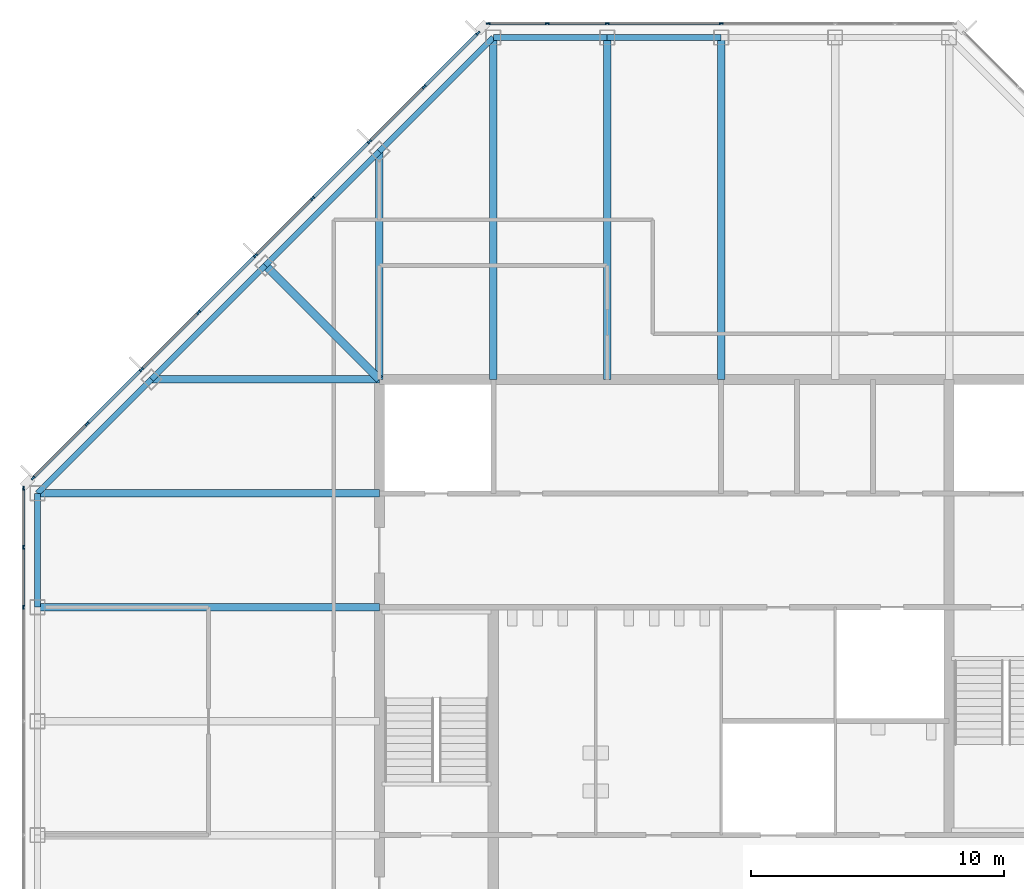
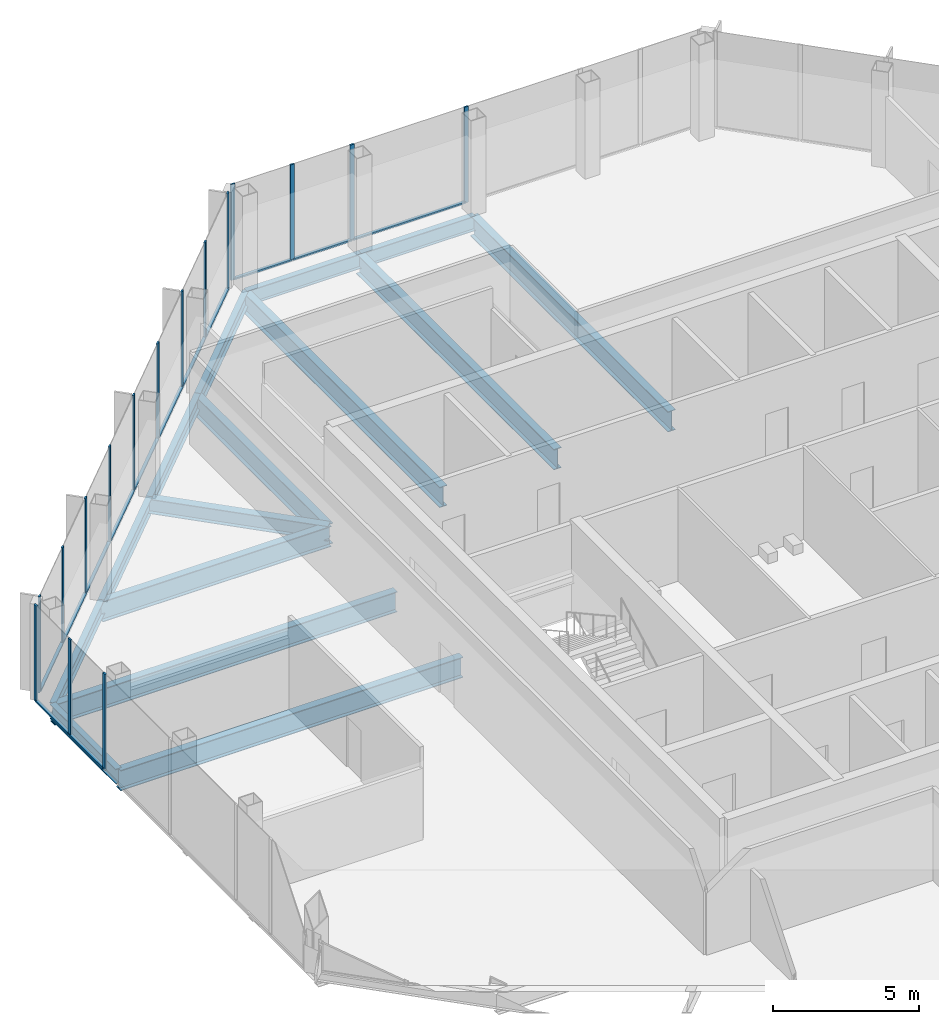
# One storey, part 6 of 13: 29 members, 15 beams, 3 elements without a shape of their own.
"""IFC4 building model written with IfcOpenShell, lengths in metres."""

from ifc_helpers import new_model, si_unit, direction, frame, origin, origin_2d, place, context, subcontext, project, spatial, rectangle, i_section, extrude, material, material_profile, profile_set, type_object, element, aggregate, save


model = new_model("IFC4")

# Units and contexts
model_context = context("Model", 3, precision=1e-05, world=origin(), true_north=direction((0.0, 1.0)))
body_context = subcontext(model_context, "Body", "Model", "MODEL_VIEW")
ifc_project = project(units=[si_unit("LENGTHUNIT", "METRE"), si_unit("AREAUNIT", "SQUARE_METRE"), si_unit("VOLUMEUNIT", "CUBIC_METRE"), si_unit("PLANEANGLEUNIT", "RADIAN"), si_unit("MASSUNIT", "GRAM", prefix="KILO")], contexts=[model_context])

# Site, building, storey
site_placement = place(None, origin())
site = spatial("IfcSite", under=ifc_project, at=site_placement, CompositionType="ELEMENT")
building_placement = place(site_placement, origin())
building = spatial("IfcBuilding", under=site, at=building_placement, Name="Corais Broadcast Tower", CompositionType="ELEMENT")
storey_placement = place(building_placement, frame((0.0, 0.0, 270.60009765625)))
storey = spatial("IfcBuildingStorey", under=building, at=storey_placement, Name="L63", CompositionType="ELEMENT", Elevation=270.60009765625)

# Beams
ifc_material_1 = material(Name="Steel ASTM A572 Grade 50", Category="steel")
ifc_material_profile_1 = material_profile(ifc_material_1, i_section(OverallWidth=0.323974609375, OverallDepth=0.611083984375, WebThickness=0.0126953125, FlangeThickness=0.01904296875, at=origin_2d()), Name="W610x155")
ifc_profile_set_1 = profile_set([ifc_material_profile_1], Name="Steel ASTM A572 Grade 50")
beam_type_1 = type_object("IfcBeamType", Name="Corner diagonal W610x155", PredefinedType="BEAM", material=ifc_profile_set_1)
beam_1_placement = place(storey_placement, frame((9.0, 45.0, -0.465576171875), z_axis=(0.707106781187, -0.707106781187, 0.0), x_axis=(0.707106781187, 0.707106781187, 0.0)))
element("IfcBeam", 1, at=beam_1_placement, inside=storey, type_object=beam_type_1, Name="B6 L/5 to K/6", PredefinedType="BEAM", context=body_context, shape_type="SweptSolid", body=[
    extrude(i_section(OverallWidth=0.323974609375, OverallDepth=0.611083984375, WebThickness=0.0126953125, FlangeThickness=0.01904296875, at=origin_2d()), origin(), (0.0, 0.0, 1.0), 6.364013671875),
])
ifc_material_2 = material(Name="Steel ASTM A572 Grade 50", Category="steel")
ifc_material_profile_2 = material_profile(ifc_material_2, i_section(OverallWidth=0.2939453125, OverallDepth=0.85107421875, WebThickness=0.01611328125, FlangeThickness=0.02685546875, at=origin_2d()), Name="W840x226")
ifc_profile_set_2 = profile_set([ifc_material_profile_2], Name="Steel ASTM A572 Grade 50")
beam_type_2 = type_object("IfcBeamType", Name="Floor beam W840x226", PredefinedType="BEAM", material=ifc_profile_set_2)
for number, where, z_axis, x_axis, name in (
    (2, (0.0, 31.5, -0.585693359375), (1.0, 0.0, 0.0), (0.0, 1.0, 0.0), "B1 H/3 to H/6"),
    (3, (0.0, 36.0, -0.585693359375), (1.0, 0.0, 0.0), (0.0, 1.0, 0.0), "B1 J/3 to J/6"),
):
    element("IfcBeam", number, at=place(storey_placement, frame(where, z_axis=z_axis, x_axis=x_axis)), inside=storey, type_object=beam_type_2, Name=name, PredefinedType="BEAM", context=body_context, shape_type="SweptSolid", body=[
        extrude(i_section(OverallWidth=0.2939453125, OverallDepth=0.85107421875, WebThickness=0.01611328125, FlangeThickness=0.02685546875, at=origin_2d()), origin(), (0.0, 0.0, 1.0), 13.5),
    ])
beam_2_placement = place(storey_placement, frame((13.5, 49.5, -0.585693359375), z_axis=(0.0, -1.0, 0.0), x_axis=(1.0, 0.0, 0.0)))
element("IfcBeam", 4, at=beam_2_placement, inside=storey, type_object=beam_type_2, Name="B1 M/6 to K/6", PredefinedType="BEAM", context=body_context, shape_type="SweptSolid", body=[
    extrude(i_section(OverallWidth=0.2939453125, OverallDepth=0.85107421875, WebThickness=0.01611328125, FlangeThickness=0.02685546875, at=origin_2d()), origin(), (0.0, 0.0, 1.0), 9.0),
])
for number, where, z_axis, x_axis, name in (
    (5, (18.0, 54.0, -0.585693359375), (0.0, -1.0, 0.0), (1.0, 0.0, 0.0), "B1 N/7 to K/7"),
    (6, (22.5, 54.0, -0.585693359375), (0.0, -1.0, 0.0), (1.0, 0.0, 0.0), "B1 N/8 to K/8"),
    (7, (27.0, 54.0, -0.585693359375), (0.0, -1.0, 0.0), (1.0, 0.0, 0.0), "B1 N/9 to K/9"),
):
    element("IfcBeam", number, at=place(storey_placement, frame(where, z_axis=z_axis, x_axis=x_axis)), inside=storey, type_object=beam_type_2, Name=name, PredefinedType="BEAM", context=body_context, shape_type="SweptSolid", body=[
        extrude(i_section(OverallWidth=0.2939453125, OverallDepth=0.85107421875, WebThickness=0.01611328125, FlangeThickness=0.02685546875, at=origin_2d()), origin(), (0.0, 0.0, 1.0), 13.5),
    ])
beam_3_placement = place(storey_placement, frame((4.5, 40.5, -0.585693359375), z_axis=(1.0, 0.0, 0.0), x_axis=(0.0, 1.0, 0.0)))
element("IfcBeam", 8, at=beam_3_placement, inside=storey, type_object=beam_type_2, Name="B1 K/4 to K/6", PredefinedType="BEAM", context=body_context, shape_type="SweptSolid", body=[
    extrude(i_section(OverallWidth=0.2939453125, OverallDepth=0.85107421875, WebThickness=0.01611328125, FlangeThickness=0.02685546875, at=origin_2d()), origin(), (0.0, 0.0, 1.0), 9.0),
])

# Curtain wall, members
ifc_material_3 = material(Name="Aluminium and glass", Category="aluminium")
curtain_wall_type = type_object("IfcCurtainWallType", Name="Unitised fritted curtain wall CW3", PredefinedType="NOTDEFINED", material=ifc_material_3)
curtain_wall_1_placement = place(storey_placement, origin())
curtain_wall_1 = element("IfcCurtainWall", 9, at=curtain_wall_1_placement, inside=storey, type_object=curtain_wall_type, Name="CW3 curtain wall L63 2", PredefinedType="NOTDEFINED")
ifc_material_4 = material(Name="Aluminium 6063-T6", Category="aluminium")
ifc_material_profile_3 = material_profile(ifc_material_4, rectangle(XDim=0.06494140625, YDim=0.159912109375, at=origin_2d()), Name="Mullion CW3 65x160")
ifc_profile_set_3 = profile_set([ifc_material_profile_3], Name="Aluminium 6063-T6")
member_type_1 = type_object("IfcMemberType", Name="Mullion CW3 65x160", PredefinedType="MULLION", material=ifc_profile_set_3)
member_1_placement = place(storey_placement, frame((-0.550048828125, 31.5, 0.0), z_axis=(0.0, 0.0, 1.0), x_axis=(-1.0, 0.0, 0.0)))
member_1 = element("IfcMember", 10, at=member_1_placement, type_object=member_type_1, Name="CW3 mullion 5", PredefinedType="MULLION", context=body_context, shape_type="SweptSolid", body=[
    extrude(rectangle(XDim=0.06494140625, YDim=0.159912109375, at=origin_2d()), origin(), (0.0, 0.0, 1.0), 4.0),
])
member_2_placement = place(storey_placement, frame((-0.550048828125, 33.864013671875, 0.0), z_axis=(0.0, 0.0, 1.0), x_axis=(-1.0, 0.0, 0.0)))
member_2 = element("IfcMember", 11, at=member_2_placement, type_object=member_type_1, Name="CW3 mullion 6", PredefinedType="MULLION", context=body_context, shape_type="SweptSolid", body=[
    extrude(rectangle(XDim=0.06494140625, YDim=0.159912109375, at=origin_2d()), origin(), (0.0, 0.0, 1.0), 4.0),
])
member_3_placement = place(storey_placement, frame((-0.550048828125, 36.1953125, 0.0), z_axis=(0.0, 0.0, 1.0), x_axis=(-1.0, 0.0, 0.0)))
member_3 = element("IfcMember", 12, at=member_3_placement, type_object=member_type_1, Name="CW3 mullion 7", PredefinedType="MULLION", context=body_context, shape_type="SweptSolid", body=[
    extrude(rectangle(XDim=0.06494140625, YDim=0.159912109375, at=origin_2d()), origin(), (0.0, 0.0, 1.0), 4.0),
])

curtain_wall_2_placement = place(storey_placement, origin())
curtain_wall_2 = element("IfcCurtainWall", 13, at=curtain_wall_2_placement, inside=storey, type_object=curtain_wall_type, Name="CW3 curtain wall L63 3", PredefinedType="NOTDEFINED")
member_4_placement = place(storey_placement, frame((-0.17333984375, 36.6044921875, 0.0), z_axis=(0.0, 0.0, 1.0), x_axis=(-0.707106781187, 0.707106781187, 0.0)))
member_4 = element("IfcMember", 14, at=member_4_placement, type_object=member_type_1, Name="CW3 mullion 1", PredefinedType="MULLION", context=body_context, shape_type="SweptSolid", body=[
    extrude(rectangle(XDim=0.06494140625, YDim=0.159912109375, at=origin_2d()), origin(), (0.0, 0.0, 1.0), 4.0),
])
member_5_placement = place(storey_placement, frame((1.957275390625, 38.735107421875, 0.0), z_axis=(0.0, 0.0, 1.0), x_axis=(-0.707106781187, 0.707106781187, 0.0)))
member_5 = element("IfcMember", 15, at=member_5_placement, type_object=member_type_1, Name="CW3 mullion 2", PredefinedType="MULLION", context=body_context, shape_type="SweptSolid", body=[
    extrude(rectangle(XDim=0.06494140625, YDim=0.159912109375, at=origin_2d()), origin(), (0.0, 0.0, 1.0), 4.0),
])
member_6_placement = place(storey_placement, frame((4.111083984375, 40.888916015625, 0.0), z_axis=(0.0, 0.0, 1.0), x_axis=(-0.707106781187, 0.707106781187, 0.0)))
member_6 = element("IfcMember", 16, at=member_6_placement, type_object=member_type_1, Name="CW3 mullion 3", PredefinedType="MULLION", context=body_context, shape_type="SweptSolid", body=[
    extrude(rectangle(XDim=0.06494140625, YDim=0.159912109375, at=origin_2d()), origin(), (0.0, 0.0, 1.0), 4.0),
])
member_7_placement = place(storey_placement, frame((6.361083984375, 43.138916015625, 0.0), z_axis=(0.0, 0.0, 1.0), x_axis=(-0.707106781187, 0.707106781187, 0.0)))
member_7 = element("IfcMember", 17, at=member_7_placement, type_object=member_type_1, Name="CW3 mullion 4", PredefinedType="MULLION", context=body_context, shape_type="SweptSolid", body=[
    extrude(rectangle(XDim=0.06494140625, YDim=0.159912109375, at=origin_2d()), origin(), (0.0, 0.0, 1.0), 4.0),
])
member_8_placement = place(storey_placement, frame((8.611083984375, 45.388916015625, 0.0), z_axis=(0.0, 0.0, 1.0), x_axis=(-0.707106781187, 0.707106781187, 0.0)))
member_8 = element("IfcMember", 18, at=member_8_placement, type_object=member_type_1, Name="CW3 mullion 5", PredefinedType="MULLION", context=body_context, shape_type="SweptSolid", body=[
    extrude(rectangle(XDim=0.06494140625, YDim=0.159912109375, at=origin_2d()), origin(), (0.0, 0.0, 1.0), 4.0),
])
member_9_placement = place(storey_placement, frame((10.861083984375, 47.638916015625, 0.0), z_axis=(0.0, 0.0, 1.0), x_axis=(-0.707106781187, 0.707106781187, 0.0)))
member_9 = element("IfcMember", 19, at=member_9_placement, type_object=member_type_1, Name="CW3 mullion 6", PredefinedType="MULLION", context=body_context, shape_type="SweptSolid", body=[
    extrude(rectangle(XDim=0.06494140625, YDim=0.159912109375, at=origin_2d()), origin(), (0.0, 0.0, 1.0), 4.0),
])
member_10_placement = place(storey_placement, frame((13.111083984375, 49.888916015625, 0.0), z_axis=(0.0, 0.0, 1.0), x_axis=(-0.707106781187, 0.707106781187, 0.0)))
member_10 = element("IfcMember", 20, at=member_10_placement, type_object=member_type_1, Name="CW3 mullion 7", PredefinedType="MULLION", context=body_context, shape_type="SweptSolid", body=[
    extrude(rectangle(XDim=0.06494140625, YDim=0.159912109375, at=origin_2d()), origin(), (0.0, 0.0, 1.0), 4.0),
])
member_11_placement = place(storey_placement, frame((15.264892578125, 52.042724609375, 0.0), z_axis=(0.0, 0.0, 1.0), x_axis=(-0.707106781187, 0.707106781187, 0.0)))
member_11 = element("IfcMember", 21, at=member_11_placement, type_object=member_type_1, Name="CW3 mullion 8", PredefinedType="MULLION", context=body_context, shape_type="SweptSolid", body=[
    extrude(rectangle(XDim=0.06494140625, YDim=0.159912109375, at=origin_2d()), origin(), (0.0, 0.0, 1.0), 4.0),
])
member_12_placement = place(storey_placement, frame((17.3955078125, 54.17333984375, 0.0), z_axis=(0.0, 0.0, 1.0), x_axis=(-0.707106781187, 0.707106781187, 0.0)))
member_12 = element("IfcMember", 22, at=member_12_placement, type_object=member_type_1, Name="CW3 mullion 9", PredefinedType="MULLION", context=body_context, shape_type="SweptSolid", body=[
    extrude(rectangle(XDim=0.06494140625, YDim=0.159912109375, at=origin_2d()), origin(), (0.0, 0.0, 1.0), 4.0),
])

curtain_wall_3_placement = place(storey_placement, origin())
curtain_wall_3 = element("IfcCurtainWall", 23, at=curtain_wall_3_placement, inside=storey, type_object=curtain_wall_type, Name="CW3 curtain wall L63 4", PredefinedType="NOTDEFINED")
member_13_placement = place(storey_placement, frame((17.8046875, 54.550048828125, 0.0), z_axis=(0.0, 0.0, 1.0), x_axis=(0.0, 1.0, 0.0)))
member_13 = element("IfcMember", 24, at=member_13_placement, type_object=member_type_1, Name="CW3 mullion 1", PredefinedType="MULLION", context=body_context, shape_type="SweptSolid", body=[
    extrude(rectangle(XDim=0.06494140625, YDim=0.159912109375, at=origin_2d()), origin(), (0.0, 0.0, 1.0), 4.0),
])
member_14_placement = place(storey_placement, frame((20.135986328125, 54.550048828125, 0.0), z_axis=(0.0, 0.0, 1.0), x_axis=(0.0, 1.0, 0.0)))
member_14 = element("IfcMember", 25, at=member_14_placement, type_object=member_type_1, Name="CW3 mullion 2", PredefinedType="MULLION", context=body_context, shape_type="SweptSolid", body=[
    extrude(rectangle(XDim=0.06494140625, YDim=0.159912109375, at=origin_2d()), origin(), (0.0, 0.0, 1.0), 4.0),
])
member_15_placement = place(storey_placement, frame((22.5, 54.550048828125, 0.0), z_axis=(0.0, 0.0, 1.0), x_axis=(0.0, 1.0, 0.0)))
member_15 = element("IfcMember", 26, at=member_15_placement, type_object=member_type_1, Name="CW3 mullion 3", PredefinedType="MULLION", context=body_context, shape_type="SweptSolid", body=[
    extrude(rectangle(XDim=0.06494140625, YDim=0.159912109375, at=origin_2d()), origin(), (0.0, 0.0, 1.0), 4.0),
])
member_16_placement = place(storey_placement, frame((27.0, 54.550048828125, 0.0), z_axis=(0.0, 0.0, 1.0), x_axis=(0.0, 1.0, 0.0)))
member_16 = element("IfcMember", 27, at=member_16_placement, type_object=member_type_1, Name="CW3 mullion 4", PredefinedType="MULLION", context=body_context, shape_type="SweptSolid", body=[
    extrude(rectangle(XDim=0.06494140625, YDim=0.159912109375, at=origin_2d()), origin(), (0.0, 0.0, 1.0), 4.0),
])

# Beams
ifc_material_5 = material(Name="Steel ASTM A572 Grade 50", Category="steel")
ifc_material_profile_4 = material_profile(ifc_material_5, i_section(OverallWidth=0.22998046875, OverallDepth=0.616943359375, WebThickness=0.01318359375, FlangeThickness=0.022216796875, at=origin_2d()), Name="W610x140")
ifc_profile_set_4 = profile_set([ifc_material_profile_4], Name="Steel ASTM A572 Grade 50")
beam_type_3 = type_object("IfcBeamType", Name="Spandrel W610x140", PredefinedType="BEAM", material=ifc_profile_set_4)
beam_4_placement = place(storey_placement, frame((0.0, 36.0, -0.468505859375), z_axis=(0.0, -1.0, 0.0), x_axis=(1.0, 0.0, 0.0)))
element("IfcBeam", 28, at=beam_4_placement, inside=storey, type_object=beam_type_3, Name="SB3 J/3 to H/3", PredefinedType="BEAM", context=body_context, shape_type="SweptSolid", body=[
    extrude(i_section(OverallWidth=0.22998046875, OverallDepth=0.616943359375, WebThickness=0.01318359375, FlangeThickness=0.022216796875, at=origin_2d()), origin(), (0.0, 0.0, 1.0), 4.5),
])
for number, where, z_axis, x_axis, name in (
    (29, (13.5, 49.5, -0.468505859375), (-0.707106781187, -0.707106781187, 0.0), (0.707106781187, -0.707106781187, 0.0), "SB3 M/6 to L/5"),
    (30, (18.0, 54.0, -0.468505859375), (-0.707106781187, -0.707106781187, 0.0), (0.707106781187, -0.707106781187, 0.0), "SB3 N/7 to M/6"),
):
    element("IfcBeam", number, at=place(storey_placement, frame(where, z_axis=z_axis, x_axis=x_axis)), inside=storey, type_object=beam_type_3, Name=name, PredefinedType="BEAM", context=body_context, shape_type="SweptSolid", body=[
        extrude(i_section(OverallWidth=0.22998046875, OverallDepth=0.616943359375, WebThickness=0.01318359375, FlangeThickness=0.022216796875, at=origin_2d()), origin(), (0.0, 0.0, 1.0), 6.364013671875),
    ])
for number, where, z_axis, x_axis, name in (
    (31, (22.5, 54.0, -0.468505859375), (-1.0, 0.0, 0.0), (0.0, -1.0, 0.0), "SB3 N/8 to N/7"),
    (32, (27.0, 54.0, -0.468505859375), (-1.0, 0.0, 0.0), (0.0, -1.0, 0.0), "SB3 N/9 to N/8"),
):
    element("IfcBeam", number, at=place(storey_placement, frame(where, z_axis=z_axis, x_axis=x_axis)), inside=storey, type_object=beam_type_3, Name=name, PredefinedType="BEAM", context=body_context, shape_type="SweptSolid", body=[
        extrude(i_section(OverallWidth=0.22998046875, OverallDepth=0.616943359375, WebThickness=0.01318359375, FlangeThickness=0.022216796875, at=origin_2d()), origin(), (0.0, 0.0, 1.0), 4.5),
    ])
for number, where, z_axis, x_axis, name in (
    (33, (4.5, 40.5, -0.468505859375), (-0.707106781187, -0.707106781187, 0.0), (0.707106781187, -0.707106781187, 0.0), "SB3 K/4 to J/3"),
    (34, (9.0, 45.0, -0.468505859375), (-0.707106781187, -0.707106781187, 0.0), (0.707106781187, -0.707106781187, 0.0), "SB3 L/5 to K/4"),
):
    element("IfcBeam", number, at=place(storey_placement, frame(where, z_axis=z_axis, x_axis=x_axis)), inside=storey, type_object=beam_type_3, Name=name, PredefinedType="BEAM", context=body_context, shape_type="SweptSolid", body=[
        extrude(i_section(OverallWidth=0.22998046875, OverallDepth=0.616943359375, WebThickness=0.01318359375, FlangeThickness=0.022216796875, at=origin_2d()), origin(), (0.0, 0.0, 1.0), 6.364013671875),
    ])

# Member
ifc_material_6 = material(Name="Aluminium 6063-T6", Category="aluminium")
ifc_material_profile_5 = material_profile(ifc_material_6, rectangle(XDim=0.1201171875, YDim=0.06494140625, at=origin_2d()), Name="Transom CW3 65x120")
ifc_profile_set_5 = profile_set([ifc_material_profile_5], Name="Aluminium 6063-T6")
member_type_2 = type_object("IfcMemberType", Name="Transom CW3 65x120", PredefinedType="USERDEFINED", material=ifc_profile_set_5)
member_17_placement = place(storey_placement, frame((-0.550048828125, 31.532470703125, 0.032470703125), z_axis=(0.0, 1.0, 0.0), x_axis=(-1.0, 0.0, 0.0)))
member_17 = element("IfcMember", 35, at=member_17_placement, type_object=member_type_2, Name="CW3 transom 5.1", ObjectType="TRANSOM", PredefinedType="USERDEFINED", context=body_context, shape_type="SweptSolid", body=[
    extrude(rectangle(XDim=0.1201171875, YDim=0.06494140625, at=origin_2d()), origin(), (0.0, 0.0, 1.0), 2.298828125),
])

member_18_placement = place(storey_placement, frame((-0.550048828125, 33.896484375, 0.032470703125), z_axis=(0.0, 1.0, 0.0), x_axis=(-1.0, 0.0, 0.0)))
member_18 = element("IfcMember", 36, at=member_18_placement, type_object=member_type_2, Name="CW3 transom 6.1", ObjectType="TRANSOM", PredefinedType="USERDEFINED", context=body_context, shape_type="SweptSolid", body=[
    extrude(rectangle(XDim=0.1201171875, YDim=0.06494140625, at=origin_2d()), origin(), (0.0, 0.0, 1.0), 2.266357421875),
])

aggregate(curtain_wall_1, [member_1, member_2, member_3, member_17, member_18])

member_19_placement = place(storey_placement, frame((-0.150390625, 36.62744140625, 0.032470703125), z_axis=(0.707106781187, 0.707106781187, 0.0), x_axis=(-0.707106781187, 0.707106781187, 0.0)))
member_19 = element("IfcMember", 37, at=member_19_placement, type_object=member_type_2, Name="CW3 transom 1.1", ObjectType="TRANSOM", PredefinedType="USERDEFINED", context=body_context, shape_type="SweptSolid", body=[
    extrude(rectangle(XDim=0.1201171875, YDim=0.06494140625, at=origin_2d()), origin(), (0.0, 0.0, 1.0), 2.9482421875),
])

member_20_placement = place(storey_placement, frame((1.980224609375, 38.758056640625, 0.032470703125), z_axis=(0.707106781187, 0.707106781187, 0.0), x_axis=(-0.707106781187, 0.707106781187, 0.0)))
member_20 = element("IfcMember", 38, at=member_20_placement, type_object=member_type_2, Name="CW3 transom 2.1", ObjectType="TRANSOM", PredefinedType="USERDEFINED", context=body_context, shape_type="SweptSolid", body=[
    extrude(rectangle(XDim=0.1201171875, YDim=0.06494140625, at=origin_2d()), origin(), (0.0, 0.0, 1.0), 2.98095703125),
])

member_21_placement = place(storey_placement, frame((4.134033203125, 40.911865234375, 0.032470703125), z_axis=(0.707106781187, 0.707106781187, 0.0), x_axis=(-0.707106781187, 0.707106781187, 0.0)))
member_21 = element("IfcMember", 39, at=member_21_placement, type_object=member_type_2, Name="CW3 transom 3.1", ObjectType="TRANSOM", PredefinedType="USERDEFINED", context=body_context, shape_type="SweptSolid", body=[
    extrude(rectangle(XDim=0.1201171875, YDim=0.06494140625, at=origin_2d()), origin(), (0.0, 0.0, 1.0), 3.1171875),
])

member_22_placement = place(storey_placement, frame((6.384033203125, 43.161865234375, 0.032470703125), z_axis=(0.707106781187, 0.707106781187, 0.0), x_axis=(-0.707106781187, 0.707106781187, 0.0)))
member_22 = element("IfcMember", 40, at=member_22_placement, type_object=member_type_2, Name="CW3 transom 4.1", ObjectType="TRANSOM", PredefinedType="USERDEFINED", context=body_context, shape_type="SweptSolid", body=[
    extrude(rectangle(XDim=0.1201171875, YDim=0.06494140625, at=origin_2d()), origin(), (0.0, 0.0, 1.0), 3.1171875),
])

member_23_placement = place(storey_placement, frame((8.634033203125, 45.411865234375, 0.032470703125), z_axis=(0.707106781187, 0.707106781187, 0.0), x_axis=(-0.707106781187, 0.707106781187, 0.0)))
member_23 = element("IfcMember", 41, at=member_23_placement, type_object=member_type_2, Name="CW3 transom 5.1", ObjectType="TRANSOM", PredefinedType="USERDEFINED", context=body_context, shape_type="SweptSolid", body=[
    extrude(rectangle(XDim=0.1201171875, YDim=0.06494140625, at=origin_2d()), origin(), (0.0, 0.0, 1.0), 3.1171875),
])

member_24_placement = place(storey_placement, frame((10.884033203125, 47.661865234375, 0.032470703125), z_axis=(0.707106781187, 0.707106781187, 0.0), x_axis=(-0.707106781187, 0.707106781187, 0.0)))
member_24 = element("IfcMember", 42, at=member_24_placement, type_object=member_type_2, Name="CW3 transom 6.1", ObjectType="TRANSOM", PredefinedType="USERDEFINED", context=body_context, shape_type="SweptSolid", body=[
    extrude(rectangle(XDim=0.1201171875, YDim=0.06494140625, at=origin_2d()), origin(), (0.0, 0.0, 1.0), 3.1171875),
])

member_25_placement = place(storey_placement, frame((13.134033203125, 49.911865234375, 0.032470703125), z_axis=(0.70714773134, 0.707065828661, 0.0), x_axis=(-0.707065828661, 0.70714773134, 0.0)))
member_25 = element("IfcMember", 43, at=member_25_placement, type_object=member_type_2, Name="CW3 transom 7.1", ObjectType="TRANSOM", PredefinedType="USERDEFINED", context=body_context, shape_type="SweptSolid", body=[
    extrude(rectangle(XDim=0.1201171875, YDim=0.06494140625, at=origin_2d()), origin(), (0.0, 0.0, 1.0), 2.98095703125),
])

member_26_placement = place(storey_placement, frame((15.287841796875, 52.065673828125, 0.032470703125), z_axis=(0.707106781187, 0.707106781187, 0.0), x_axis=(-0.707106781187, 0.707106781187, 0.0)))
member_26 = element("IfcMember", 44, at=member_26_placement, type_object=member_type_2, Name="CW3 transom 8.1", ObjectType="TRANSOM", PredefinedType="USERDEFINED", context=body_context, shape_type="SweptSolid", body=[
    extrude(rectangle(XDim=0.1201171875, YDim=0.06494140625, at=origin_2d()), origin(), (0.0, 0.0, 1.0), 2.9482421875),
])

aggregate(curtain_wall_2, [member_4, member_5, member_6, member_7, member_8, member_9, member_10, member_11, member_12, member_19, member_20, member_21, member_22, member_23, member_24, member_25, member_26])

member_27_placement = place(storey_placement, frame((17.837158203125, 54.550048828125, 0.032470703125), z_axis=(1.0, 0.0, 0.0), x_axis=(0.0, 1.0, 0.0)))
member_27 = element("IfcMember", 45, at=member_27_placement, type_object=member_type_2, Name="CW3 transom 1.1", ObjectType="TRANSOM", PredefinedType="USERDEFINED", context=body_context, shape_type="SweptSolid", body=[
    extrude(rectangle(XDim=0.1201171875, YDim=0.06494140625, at=origin_2d()), origin(), (0.0, 0.0, 1.0), 2.266357421875),
])

member_28_placement = place(storey_placement, frame((20.168701171875, 54.550048828125, 0.032470703125), z_axis=(1.0, 0.0, 0.0), x_axis=(0.0, 1.0, 0.0)))
member_28 = element("IfcMember", 46, at=member_28_placement, type_object=member_type_2, Name="CW3 transom 2.1", ObjectType="TRANSOM", PredefinedType="USERDEFINED", context=body_context, shape_type="SweptSolid", body=[
    extrude(rectangle(XDim=0.1201171875, YDim=0.06494140625, at=origin_2d()), origin(), (0.0, 0.0, 1.0), 2.298828125),
])

member_29_placement = place(storey_placement, frame((22.532470703125, 54.550048828125, 0.032470703125), z_axis=(1.0, 0.0, 0.0), x_axis=(0.0, 1.0, 0.0)))
member_29 = element("IfcMember", 47, at=member_29_placement, type_object=member_type_2, Name="CW3 transom 3.1", ObjectType="TRANSOM", PredefinedType="USERDEFINED", context=body_context, shape_type="SweptSolid", body=[
    extrude(rectangle(XDim=0.1201171875, YDim=0.06494140625, at=origin_2d()), origin(), (0.0, 0.0, 1.0), 4.43505859375),
])

aggregate(curtain_wall_3, [member_13, member_14, member_15, member_16, member_27, member_28, member_29])

save(model, "model.ifc")
